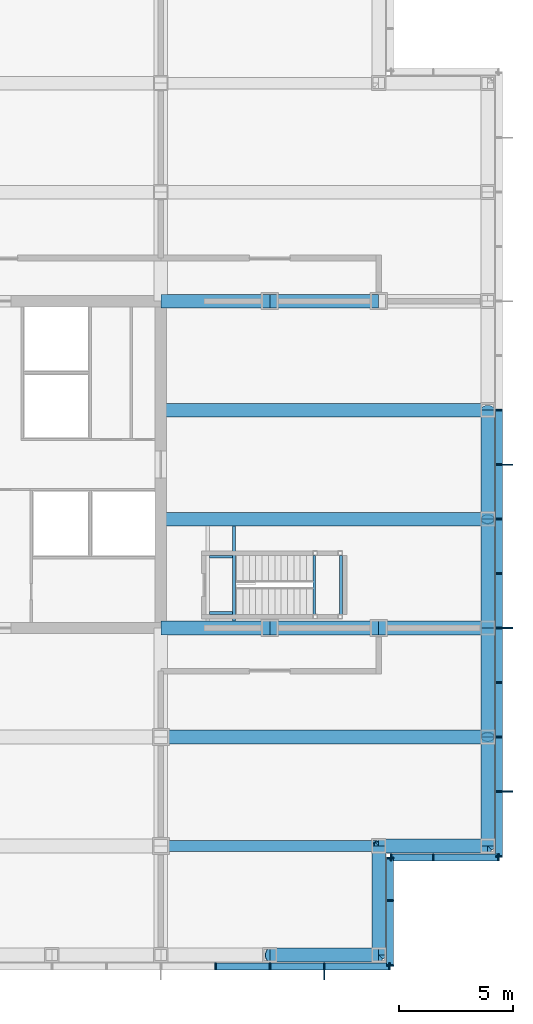
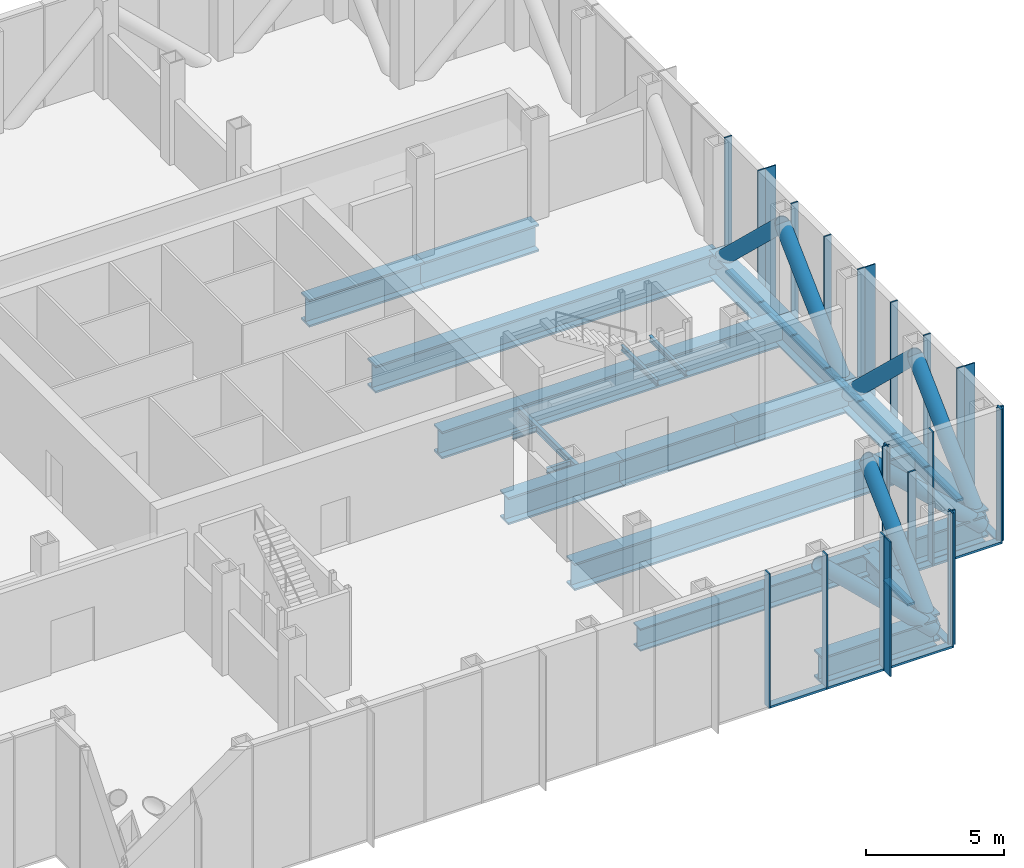
# One storey, part 8 of 18: 45 members, 21 beams, 4 elements without a shape of their own.
"""IFC4 building model written with IfcOpenShell, lengths in metres."""

from ifc_helpers import new_model, si_unit, direction, frame, origin, origin_2d, place, context, subcontext, project, spatial, rectangle, hollow_circle, i_section, extrude, material, material_profile, profile_set, type_object, element, aggregate, save


model = new_model("IFC4")

# Units and contexts
model_context = context("Model", 3, precision=1e-05, world=origin(), true_north=direction((0.0, 1.0)))
body_context = subcontext(model_context, "Body", "Model", "MODEL_VIEW")
ifc_project = project(units=[si_unit("LENGTHUNIT", "METRE"), si_unit("AREAUNIT", "SQUARE_METRE"), si_unit("VOLUMEUNIT", "CUBIC_METRE"), si_unit("PLANEANGLEUNIT", "RADIAN"), si_unit("MASSUNIT", "GRAM", prefix="KILO")], contexts=[model_context])

# Site, building, storey
site_placement = place(None, origin())
site = spatial("IfcSite", under=ifc_project, at=site_placement, CompositionType="ELEMENT")
building_placement = place(site_placement, origin())
building = spatial("IfcBuilding", under=site, at=building_placement, Name="Kvirike Care Tower", CompositionType="ELEMENT")
storey_placement = place(building_placement, frame((0.0, 0.0, 79.5)))
storey = spatial("IfcBuildingStorey", under=building, at=storey_placement, Name="L21", CompositionType="ELEMENT", Elevation=79.5)

# Members
ifc_material_1 = material(Name="Steel S355", Category="steel")
ifc_material_profile_1 = material_profile(ifc_material_1, hollow_circle(Radius=0.304931640625, WallThickness=0.030029296875, at=origin_2d()), Name="CHS 610x30")
ifc_profile_set_1 = profile_set([ifc_material_profile_1], Name="Steel S355")
member_type_1 = type_object("IfcMemberType", Name="BELT TRUSS DIAGONAL CHS 610x30", PredefinedType="BRACE", material=ifc_profile_set_1)
member_1_placement = place(storey_placement, frame((38.39990234375, 14.39990234375, -0.85009765625), z_axis=(-0.723472495583, 0.0, 0.690353205348), x_axis=(0.0, -1.0, 0.0)))
element("IfcMember", 1, at=member_1_placement, inside=storey, type_object=member_type_1, Name="Belt truss diagonal D10-D11 L21", PredefinedType="BRACE", context=body_context, shape_type="SweptSolid", body=[
    extrude(hollow_circle(Radius=0.304931640625, WallThickness=0.030029296875, at=origin_2d()), origin(), (0.0, 0.0, 1.0), 6.63427734375),
])
for number, where, z_axis, x_axis, name in (
    (2, (38.39990234375, 14.39990234375, -0.85009765625), (0.0, 0.723490032929, 0.690334826191), (-1.0, 0.0, 0.0), "Belt truss diagonal D11-E11 L21"),
    (3, (43.199951171875, 19.199951171875, -0.85009765625), (-0.723490032929, 0.0, 0.690334826191), (0.0, -1.0, 0.0), "Belt truss diagonal E11-E12 L21"),
    (4, (43.199951171875, 19.199951171875, -0.85009765625), (0.0, 0.723490032929, 0.690334826191), (-1.0, 0.0, 0.0), "Belt truss diagonal E12-F12 L21"),
    (5, (43.199951171875, 28.800048828125, -0.85009765625), (0.0, -0.723490032929, 0.690334826191), (1.0, 0.0, 0.0), "Belt truss diagonal F12-G12 L21"),
    (6, (43.199951171875, 28.800048828125, -0.85009765625), (0.0, 0.723490032929, 0.690334826191), (-1.0, 0.0, 0.0), "Belt truss diagonal G12-H12 L21"),
):
    element("IfcMember", number, at=place(storey_placement, frame(where, z_axis=z_axis, x_axis=x_axis)), inside=storey, type_object=member_type_1, Name=name, PredefinedType="BRACE", context=body_context, shape_type="SweptSolid", body=[
        extrude(hollow_circle(Radius=0.304931640625, WallThickness=0.030029296875, at=origin_2d()), origin(), (0.0, 0.0, 1.0), 6.634521484375),
    ])
member_2_placement = place(storey_placement, frame((43.199951171875, 38.39990234375, -0.85009765625), z_axis=(0.0, -0.723472495583, 0.690353205348), x_axis=(1.0, 0.0, 0.0)))
element("IfcMember", 7, at=member_2_placement, inside=storey, type_object=member_type_1, Name="Belt truss diagonal H12-J12 L21", PredefinedType="BRACE", context=body_context, shape_type="SweptSolid", body=[
    extrude(hollow_circle(Radius=0.304931640625, WallThickness=0.030029296875, at=origin_2d()), origin(), (0.0, 0.0, 1.0), 6.63427734375),
])

# Curtain wall, member
ifc_material_2 = material(Name="Anodised aluminium stick system", Category="aluminium")
curtain_wall_type = type_object("IfcCurtainWallType", Name="CW-L LOUVRED PLANT SCREEN", PredefinedType="NOTDEFINED", material=ifc_material_2)
curtain_wall_1_placement = place(storey_placement, origin())
curtain_wall_1 = element("IfcCurtainWall", 8, at=curtain_wall_1_placement, inside=storey, type_object=curtain_wall_type, Name="Curtain wall L21 face 4", PredefinedType="NOTDEFINED")
ifc_material_3 = material(Name="Bronze anodised aluminium fin", Category="aluminium")
ifc_material_profile_2 = material_profile(ifc_material_3, rectangle(XDim=0.050048828125, YDim=0.449951171875, at=origin_2d()), Name="BRONZE FIN 450")
ifc_profile_set_2 = profile_set([ifc_material_profile_2], Name="Bronze anodised aluminium fin")
member_type_2 = type_object("IfcMemberType", Name="BRONZE FIN 450", PredefinedType="USERDEFINED", material=ifc_profile_set_2)
member_3_placement = place(storey_placement, frame((36.0, 13.52490234375, -1.449951171875), z_axis=(0.0, 0.0, 1.0), x_axis=(1.0, 0.0, 0.0)))
member_3 = element("IfcMember", 9, at=member_3_placement, type_object=member_type_2, Name="Bronze fin L21 face 4.14", ObjectType="FIN", PredefinedType="USERDEFINED", context=body_context, shape_type="SweptSolid", body=[
    extrude(rectangle(XDim=0.050048828125, YDim=0.449951171875, at=origin_2d()), origin(), (0.0, 0.0, 1.0), 5.949951171875),
])

# Curtain wall, members
curtain_wall_2_placement = place(storey_placement, origin())
curtain_wall_2 = element("IfcCurtainWall", 10, at=curtain_wall_2_placement, inside=storey, type_object=curtain_wall_type, Name="Curtain wall L21 face 7", PredefinedType="NOTDEFINED")
member_4_placement = place(storey_placement, frame((44.074951171875, 21.60009765625, -1.449951171875), z_axis=(0.0, 0.0, 1.0), x_axis=(0.0, 1.0, 0.0)))
member_4 = element("IfcMember", 11, at=member_4_placement, type_object=member_type_2, Name="Bronze fin L21 face 7.2", ObjectType="FIN", PredefinedType="USERDEFINED", context=body_context, shape_type="SweptSolid", body=[
    extrude(rectangle(XDim=0.050048828125, YDim=0.449951171875, at=origin_2d()), origin(), (0.0, 0.0, 1.0), 5.949951171875),
])
member_5_placement = place(storey_placement, frame((44.074951171875, 28.800048828125, -1.449951171875), z_axis=(0.0, 0.0, 1.0), x_axis=(0.0, 1.0, 0.0)))
member_5 = element("IfcMember", 12, at=member_5_placement, type_object=member_type_2, Name="Bronze fin L21 face 7.5", ObjectType="FIN", PredefinedType="USERDEFINED", context=body_context, shape_type="SweptSolid", body=[
    extrude(rectangle(XDim=0.050048828125, YDim=0.449951171875, at=origin_2d()), origin(), (0.0, 0.0, 1.0), 5.949951171875),
])
member_6_placement = place(storey_placement, frame((44.074951171875, 36.0, -1.449951171875), z_axis=(0.0, 0.0, 1.0), x_axis=(0.0, 1.0, 0.0)))
member_6 = element("IfcMember", 13, at=member_6_placement, type_object=member_type_2, Name="Bronze fin L21 face 7.8", ObjectType="FIN", PredefinedType="USERDEFINED", context=body_context, shape_type="SweptSolid", body=[
    extrude(rectangle(XDim=0.050048828125, YDim=0.449951171875, at=origin_2d()), origin(), (0.0, 0.0, 1.0), 5.949951171875),
])

# Member
ifc_material_4 = material(Name="Bronze anodised aluminium mullion", Category="aluminium")
ifc_material_profile_3 = material_profile(ifc_material_4, rectangle(XDim=0.06494140625, YDim=0.300048828125, at=origin_2d()), Name="CW-L MULLION 65x300")
ifc_profile_set_3 = profile_set([ifc_material_profile_3], Name="Bronze anodised aluminium mullion")
member_type_3 = type_object("IfcMemberType", Name="CW-L MULLION 65x300", PredefinedType="MULLION", material=ifc_profile_set_3)
member_7_placement = place(storey_placement, frame((31.199951171875, 13.89990234375, -1.449951171875), z_axis=(0.0, 0.0, 1.0), x_axis=(1.0, 0.0, 0.0)))
member_7 = element("IfcMember", 14, at=member_7_placement, type_object=member_type_3, Name="CW-L mullion L21 face 4.12", PredefinedType="MULLION", context=body_context, shape_type="SweptSolid", body=[
    extrude(rectangle(XDim=0.06494140625, YDim=0.300048828125, at=origin_2d()), origin(), (0.0, 0.0, 1.0), 5.949951171875),
])

member_8_placement = place(storey_placement, frame((33.60009765625, 13.89990234375, -1.449951171875), z_axis=(0.0, 0.0, 1.0), x_axis=(1.0, 0.0, 0.0)))
member_8 = element("IfcMember", 15, at=member_8_placement, type_object=member_type_3, Name="CW-L mullion L21 face 4.13", PredefinedType="MULLION", context=body_context, shape_type="SweptSolid", body=[
    extrude(rectangle(XDim=0.06494140625, YDim=0.300048828125, at=origin_2d()), origin(), (0.0, 0.0, 1.0), 5.949951171875),
])

member_9_placement = place(storey_placement, frame((36.0, 13.89990234375, -1.449951171875), z_axis=(0.0, 0.0, 1.0), x_axis=(1.0, 0.0, 0.0)))
member_9 = element("IfcMember", 16, at=member_9_placement, type_object=member_type_3, Name="CW-L mullion L21 face 4.14", PredefinedType="MULLION", context=body_context, shape_type="SweptSolid", body=[
    extrude(rectangle(XDim=0.06494140625, YDim=0.300048828125, at=origin_2d()), origin(), (0.0, 0.0, 1.0), 5.949951171875),
])

member_10_placement = place(storey_placement, frame((38.867431640625, 13.89990234375, -1.449951171875), z_axis=(0.0, 0.0, 1.0), x_axis=(1.0, 0.0, 0.0)))
member_10 = element("IfcMember", 17, at=member_10_placement, type_object=member_type_3, Name="CW-L mullion L21 face 4.15", PredefinedType="MULLION", context=body_context, shape_type="SweptSolid", body=[
    extrude(rectangle(XDim=0.06494140625, YDim=0.300048828125, at=origin_2d()), origin(), (0.0, 0.0, 1.0), 5.949951171875),
])

# Curtain wall, members
curtain_wall_3_placement = place(storey_placement, origin())
curtain_wall_3 = element("IfcCurtainWall", 18, at=curtain_wall_3_placement, inside=storey, type_object=curtain_wall_type, Name="Curtain wall L21 face 5", PredefinedType="NOTDEFINED")
member_11_placement = place(storey_placement, frame((38.89990234375, 13.9326171875, -1.449951171875), z_axis=(0.0, 0.0, 1.0), x_axis=(0.0, 1.0, 0.0)))
member_11 = element("IfcMember", 19, at=member_11_placement, type_object=member_type_3, Name="CW-L mullion L21 face 5.1", PredefinedType="MULLION", context=body_context, shape_type="SweptSolid", body=[
    extrude(rectangle(XDim=0.06494140625, YDim=0.300048828125, at=origin_2d()), origin(), (0.0, 0.0, 1.0), 5.949951171875),
])
member_12_placement = place(storey_placement, frame((38.89990234375, 16.800048828125, -1.449951171875), z_axis=(0.0, 0.0, 1.0), x_axis=(0.0, 1.0, 0.0)))
member_12 = element("IfcMember", 20, at=member_12_placement, type_object=member_type_3, Name="CW-L mullion L21 face 5.2", PredefinedType="MULLION", context=body_context, shape_type="SweptSolid", body=[
    extrude(rectangle(XDim=0.06494140625, YDim=0.300048828125, at=origin_2d()), origin(), (0.0, 0.0, 1.0), 5.949951171875),
])
member_13_placement = place(storey_placement, frame((38.89990234375, 18.66748046875, -1.449951171875), z_axis=(0.0, 0.0, 1.0), x_axis=(0.0, 1.0, 0.0)))
member_13 = element("IfcMember", 21, at=member_13_placement, type_object=member_type_3, Name="CW-L mullion L21 face 5.3", PredefinedType="MULLION", context=body_context, shape_type="SweptSolid", body=[
    extrude(rectangle(XDim=0.06494140625, YDim=0.300048828125, at=origin_2d()), origin(), (0.0, 0.0, 1.0), 5.949951171875),
])

curtain_wall_4_placement = place(storey_placement, origin())
curtain_wall_4 = element("IfcCurtainWall", 22, at=curtain_wall_4_placement, inside=storey, type_object=curtain_wall_type, Name="Curtain wall L21 face 6", PredefinedType="NOTDEFINED")
member_14_placement = place(storey_placement, frame((38.9326171875, 18.699951171875, -1.449951171875), z_axis=(0.0, 0.0, 1.0), x_axis=(1.0, 0.0, 0.0)))
member_14 = element("IfcMember", 23, at=member_14_placement, type_object=member_type_3, Name="CW-L mullion L21 face 6.1", PredefinedType="MULLION", context=body_context, shape_type="SweptSolid", body=[
    extrude(rectangle(XDim=0.06494140625, YDim=0.300048828125, at=origin_2d()), origin(), (0.0, 0.0, 1.0), 5.949951171875),
])
member_15_placement = place(storey_placement, frame((40.800048828125, 18.699951171875, -1.449951171875), z_axis=(0.0, 0.0, 1.0), x_axis=(1.0, 0.0, 0.0)))
member_15 = element("IfcMember", 24, at=member_15_placement, type_object=member_type_3, Name="CW-L mullion L21 face 6.2", PredefinedType="MULLION", context=body_context, shape_type="SweptSolid", body=[
    extrude(rectangle(XDim=0.06494140625, YDim=0.300048828125, at=origin_2d()), origin(), (0.0, 0.0, 1.0), 5.949951171875),
])
member_16_placement = place(storey_placement, frame((43.66748046875, 18.699951171875, -1.449951171875), z_axis=(0.0, 0.0, 1.0), x_axis=(1.0, 0.0, 0.0)))
member_16 = element("IfcMember", 25, at=member_16_placement, type_object=member_type_3, Name="CW-L mullion L21 face 6.3", PredefinedType="MULLION", context=body_context, shape_type="SweptSolid", body=[
    extrude(rectangle(XDim=0.06494140625, YDim=0.300048828125, at=origin_2d()), origin(), (0.0, 0.0, 1.0), 5.949951171875),
])

# Member
member_17_placement = place(storey_placement, frame((43.699951171875, 18.732421875, -1.449951171875), z_axis=(0.0, 0.0, 1.0), x_axis=(0.0, 1.0, 0.0)))
member_17 = element("IfcMember", 26, at=member_17_placement, type_object=member_type_3, Name="CW-L mullion L21 face 7.1", PredefinedType="MULLION", context=body_context, shape_type="SweptSolid", body=[
    extrude(rectangle(XDim=0.06494140625, YDim=0.300048828125, at=origin_2d()), origin(), (0.0, 0.0, 1.0), 5.949951171875),
])

member_18_placement = place(storey_placement, frame((43.699951171875, 21.60009765625, -1.449951171875), z_axis=(0.0, 0.0, 1.0), x_axis=(0.0, 1.0, 0.0)))
member_18 = element("IfcMember", 27, at=member_18_placement, type_object=member_type_3, Name="CW-L mullion L21 face 7.2", PredefinedType="MULLION", context=body_context, shape_type="SweptSolid", body=[
    extrude(rectangle(XDim=0.06494140625, YDim=0.300048828125, at=origin_2d()), origin(), (0.0, 0.0, 1.0), 5.949951171875),
])

member_19_placement = place(storey_placement, frame((43.699951171875, 24.0, -1.449951171875), z_axis=(0.0, 0.0, 1.0), x_axis=(0.0, 1.0, 0.0)))
member_19 = element("IfcMember", 28, at=member_19_placement, type_object=member_type_3, Name="CW-L mullion L21 face 7.3", PredefinedType="MULLION", context=body_context, shape_type="SweptSolid", body=[
    extrude(rectangle(XDim=0.06494140625, YDim=0.300048828125, at=origin_2d()), origin(), (0.0, 0.0, 1.0), 5.949951171875),
])

member_20_placement = place(storey_placement, frame((43.699951171875, 26.39990234375, -1.449951171875), z_axis=(0.0, 0.0, 1.0), x_axis=(0.0, 1.0, 0.0)))
member_20 = element("IfcMember", 29, at=member_20_placement, type_object=member_type_3, Name="CW-L mullion L21 face 7.4", PredefinedType="MULLION", context=body_context, shape_type="SweptSolid", body=[
    extrude(rectangle(XDim=0.06494140625, YDim=0.300048828125, at=origin_2d()), origin(), (0.0, 0.0, 1.0), 5.949951171875),
])

member_21_placement = place(storey_placement, frame((43.699951171875, 28.800048828125, -1.449951171875), z_axis=(0.0, 0.0, 1.0), x_axis=(0.0, 1.0, 0.0)))
member_21 = element("IfcMember", 30, at=member_21_placement, type_object=member_type_3, Name="CW-L mullion L21 face 7.5", PredefinedType="MULLION", context=body_context, shape_type="SweptSolid", body=[
    extrude(rectangle(XDim=0.06494140625, YDim=0.300048828125, at=origin_2d()), origin(), (0.0, 0.0, 1.0), 5.949951171875),
])

member_22_placement = place(storey_placement, frame((43.699951171875, 31.199951171875, -1.449951171875), z_axis=(0.0, 0.0, 1.0), x_axis=(0.0, 1.0, 0.0)))
member_22 = element("IfcMember", 31, at=member_22_placement, type_object=member_type_3, Name="CW-L mullion L21 face 7.6", PredefinedType="MULLION", context=body_context, shape_type="SweptSolid", body=[
    extrude(rectangle(XDim=0.06494140625, YDim=0.300048828125, at=origin_2d()), origin(), (0.0, 0.0, 1.0), 5.949951171875),
])

member_23_placement = place(storey_placement, frame((43.699951171875, 33.60009765625, -1.449951171875), z_axis=(0.0, 0.0, 1.0), x_axis=(0.0, 1.0, 0.0)))
member_23 = element("IfcMember", 32, at=member_23_placement, type_object=member_type_3, Name="CW-L mullion L21 face 7.7", PredefinedType="MULLION", context=body_context, shape_type="SweptSolid", body=[
    extrude(rectangle(XDim=0.06494140625, YDim=0.300048828125, at=origin_2d()), origin(), (0.0, 0.0, 1.0), 5.949951171875),
])

member_24_placement = place(storey_placement, frame((43.699951171875, 36.0, -1.449951171875), z_axis=(0.0, 0.0, 1.0), x_axis=(0.0, 1.0, 0.0)))
member_24 = element("IfcMember", 33, at=member_24_placement, type_object=member_type_3, Name="CW-L mullion L21 face 7.8", PredefinedType="MULLION", context=body_context, shape_type="SweptSolid", body=[
    extrude(rectangle(XDim=0.06494140625, YDim=0.300048828125, at=origin_2d()), origin(), (0.0, 0.0, 1.0), 5.949951171875),
])

member_25_placement = place(storey_placement, frame((43.699951171875, 38.39990234375, -1.449951171875), z_axis=(0.0, 0.0, 1.0), x_axis=(0.0, 1.0, 0.0)))
member_25 = element("IfcMember", 34, at=member_25_placement, type_object=member_type_3, Name="CW-L mullion L21 face 7.9", PredefinedType="MULLION", context=body_context, shape_type="SweptSolid", body=[
    extrude(rectangle(XDim=0.06494140625, YDim=0.300048828125, at=origin_2d()), origin(), (0.0, 0.0, 1.0), 5.949951171875),
])

ifc_material_5 = material(Name="Bronze anodised aluminium transom", Category="aluminium")
ifc_material_profile_4 = material_profile(ifc_material_5, rectangle(XDim=0.300048828125, YDim=0.10009765625, at=origin_2d()), Name="CW-L TRANSOM 300x100")
ifc_profile_set_4 = profile_set([ifc_material_profile_4], Name="Bronze anodised aluminium transom")
member_type_4 = type_object("IfcMemberType", Name="CW-L TRANSOM 300x100", PredefinedType="USERDEFINED", material=ifc_profile_set_4)
member_26_placement = place(storey_placement, frame((31.232421875, 13.89990234375, -1.39990234375), z_axis=(1.0, 0.0, 0.0), x_axis=(0.0, 1.0, 0.0)))
member_26 = element("IfcMember", 35, at=member_26_placement, type_object=member_type_4, Name="CW-L sill transom L21 face 4.12", ObjectType="TRANSOM", PredefinedType="USERDEFINED", context=body_context, shape_type="SweptSolid", body=[
    extrude(rectangle(XDim=0.300048828125, YDim=0.10009765625, at=origin_2d()), origin(), (0.0, 0.0, 1.0), 2.3349609375),
])

member_27_placement = place(storey_placement, frame((33.632568359375, 13.89990234375, -1.39990234375), z_axis=(1.0, 0.0, 0.0), x_axis=(0.0, 1.0, 0.0)))
member_27 = element("IfcMember", 36, at=member_27_placement, type_object=member_type_4, Name="CW-L sill transom L21 face 4.13", ObjectType="TRANSOM", PredefinedType="USERDEFINED", context=body_context, shape_type="SweptSolid", body=[
    extrude(rectangle(XDim=0.300048828125, YDim=0.10009765625, at=origin_2d()), origin(), (0.0, 0.0, 1.0), 2.3349609375),
])

member_28_placement = place(storey_placement, frame((36.032470703125, 13.89990234375, -1.39990234375), z_axis=(1.0, 0.0, 0.0), x_axis=(0.0, 1.0, 0.0)))
member_28 = element("IfcMember", 37, at=member_28_placement, type_object=member_type_4, Name="CW-L sill transom L21 face 4.14", ObjectType="TRANSOM", PredefinedType="USERDEFINED", context=body_context, shape_type="SweptSolid", body=[
    extrude(rectangle(XDim=0.300048828125, YDim=0.10009765625, at=origin_2d()), origin(), (0.0, 0.0, 1.0), 2.802490234375),
])

aggregate(curtain_wall_1, [member_7, member_8, member_9, member_3, member_10, member_26, member_27, member_28])

member_29_placement = place(storey_placement, frame((38.89990234375, 13.965087890625, -1.39990234375), z_axis=(0.0, 1.0, 0.0), x_axis=(-1.0, 0.0, 0.0)))
member_29 = element("IfcMember", 38, at=member_29_placement, type_object=member_type_4, Name="CW-L sill transom L21 face 5.1", ObjectType="TRANSOM", PredefinedType="USERDEFINED", context=body_context, shape_type="SweptSolid", body=[
    extrude(rectangle(XDim=0.300048828125, YDim=0.10009765625, at=origin_2d()), origin(), (0.0, 0.0, 1.0), 2.802490234375),
])

member_30_placement = place(storey_placement, frame((38.89990234375, 16.83251953125, -1.39990234375), z_axis=(0.0, 1.0, 0.0), x_axis=(-1.0, 0.0, 0.0)))
member_30 = element("IfcMember", 39, at=member_30_placement, type_object=member_type_4, Name="CW-L sill transom L21 face 5.2", ObjectType="TRANSOM", PredefinedType="USERDEFINED", context=body_context, shape_type="SweptSolid", body=[
    extrude(rectangle(XDim=0.300048828125, YDim=0.10009765625, at=origin_2d()), origin(), (0.0, 0.0, 1.0), 1.802490234375),
])

aggregate(curtain_wall_3, [member_11, member_12, member_13, member_29, member_30])

member_31_placement = place(storey_placement, frame((38.965087890625, 18.699951171875, -1.39990234375), z_axis=(1.0, 0.0, 0.0), x_axis=(0.0, 1.0, 0.0)))
member_31 = element("IfcMember", 40, at=member_31_placement, type_object=member_type_4, Name="CW-L sill transom L21 face 6.1", ObjectType="TRANSOM", PredefinedType="USERDEFINED", context=body_context, shape_type="SweptSolid", body=[
    extrude(rectangle(XDim=0.300048828125, YDim=0.10009765625, at=origin_2d()), origin(), (0.0, 0.0, 1.0), 1.802490234375),
])

member_32_placement = place(storey_placement, frame((40.83251953125, 18.699951171875, -1.39990234375), z_axis=(1.0, 0.0, 0.0), x_axis=(0.0, 1.0, 0.0)))
member_32 = element("IfcMember", 41, at=member_32_placement, type_object=member_type_4, Name="CW-L sill transom L21 face 6.2", ObjectType="TRANSOM", PredefinedType="USERDEFINED", context=body_context, shape_type="SweptSolid", body=[
    extrude(rectangle(XDim=0.300048828125, YDim=0.10009765625, at=origin_2d()), origin(), (0.0, 0.0, 1.0), 2.802490234375),
])

aggregate(curtain_wall_4, [member_14, member_15, member_16, member_31, member_32])

member_33_placement = place(storey_placement, frame((43.699951171875, 18.764892578125, -1.39990234375), z_axis=(0.0, 1.0, 0.0), x_axis=(-1.0, 0.0, 0.0)))
member_33 = element("IfcMember", 42, at=member_33_placement, type_object=member_type_4, Name="CW-L sill transom L21 face 7.1", ObjectType="TRANSOM", PredefinedType="USERDEFINED", context=body_context, shape_type="SweptSolid", body=[
    extrude(rectangle(XDim=0.300048828125, YDim=0.10009765625, at=origin_2d()), origin(), (0.0, 0.0, 1.0), 2.802490234375),
])

member_34_placement = place(storey_placement, frame((43.699951171875, 21.632568359375, -1.39990234375), z_axis=(0.0, 1.0, 0.0), x_axis=(-1.0, 0.0, 0.0)))
member_34 = element("IfcMember", 43, at=member_34_placement, type_object=member_type_4, Name="CW-L sill transom L21 face 7.2", ObjectType="TRANSOM", PredefinedType="USERDEFINED", context=body_context, shape_type="SweptSolid", body=[
    extrude(rectangle(XDim=0.300048828125, YDim=0.10009765625, at=origin_2d()), origin(), (0.0, 0.0, 1.0), 2.3349609375),
])

member_35_placement = place(storey_placement, frame((43.699951171875, 24.032470703125, -1.39990234375), z_axis=(0.0, 1.0, 0.0), x_axis=(-1.0, 0.0, 0.0)))
member_35 = element("IfcMember", 44, at=member_35_placement, type_object=member_type_4, Name="CW-L sill transom L21 face 7.3", ObjectType="TRANSOM", PredefinedType="USERDEFINED", context=body_context, shape_type="SweptSolid", body=[
    extrude(rectangle(XDim=0.300048828125, YDim=0.10009765625, at=origin_2d()), origin(), (0.0, 0.0, 1.0), 2.3349609375),
])

member_36_placement = place(storey_placement, frame((43.699951171875, 26.4326171875, -1.39990234375), z_axis=(0.0, 1.0, 0.0), x_axis=(-1.0, 0.0, 0.0)))
member_36 = element("IfcMember", 45, at=member_36_placement, type_object=member_type_4, Name="CW-L sill transom L21 face 7.4", ObjectType="TRANSOM", PredefinedType="USERDEFINED", context=body_context, shape_type="SweptSolid", body=[
    extrude(rectangle(XDim=0.300048828125, YDim=0.10009765625, at=origin_2d()), origin(), (0.0, 0.0, 1.0), 2.3349609375),
])

member_37_placement = place(storey_placement, frame((43.699951171875, 28.83251953125, -1.39990234375), z_axis=(0.0, 1.0, 0.0), x_axis=(-1.0, 0.0, 0.0)))
member_37 = element("IfcMember", 46, at=member_37_placement, type_object=member_type_4, Name="CW-L sill transom L21 face 7.5", ObjectType="TRANSOM", PredefinedType="USERDEFINED", context=body_context, shape_type="SweptSolid", body=[
    extrude(rectangle(XDim=0.300048828125, YDim=0.10009765625, at=origin_2d()), origin(), (0.0, 0.0, 1.0), 2.3349609375),
])

member_38_placement = place(storey_placement, frame((43.699951171875, 31.232421875, -1.39990234375), z_axis=(0.0, 1.0, 0.0), x_axis=(-1.0, 0.0, 0.0)))
member_38 = element("IfcMember", 47, at=member_38_placement, type_object=member_type_4, Name="CW-L sill transom L21 face 7.6", ObjectType="TRANSOM", PredefinedType="USERDEFINED", context=body_context, shape_type="SweptSolid", body=[
    extrude(rectangle(XDim=0.300048828125, YDim=0.10009765625, at=origin_2d()), origin(), (0.0, 0.0, 1.0), 2.3349609375),
])

member_39_placement = place(storey_placement, frame((43.699951171875, 33.632568359375, -1.39990234375), z_axis=(0.0, 1.0, 0.0), x_axis=(-1.0, 0.0, 0.0)))
member_39 = element("IfcMember", 48, at=member_39_placement, type_object=member_type_4, Name="CW-L sill transom L21 face 7.7", ObjectType="TRANSOM", PredefinedType="USERDEFINED", context=body_context, shape_type="SweptSolid", body=[
    extrude(rectangle(XDim=0.300048828125, YDim=0.10009765625, at=origin_2d()), origin(), (0.0, 0.0, 1.0), 2.3349609375),
])

member_40_placement = place(storey_placement, frame((43.699951171875, 36.032470703125, -1.39990234375), z_axis=(0.0, 1.0, 0.0), x_axis=(-1.0, 0.0, 0.0)))
member_40 = element("IfcMember", 49, at=member_40_placement, type_object=member_type_4, Name="CW-L sill transom L21 face 7.8", ObjectType="TRANSOM", PredefinedType="USERDEFINED", context=body_context, shape_type="SweptSolid", body=[
    extrude(rectangle(XDim=0.300048828125, YDim=0.10009765625, at=origin_2d()), origin(), (0.0, 0.0, 1.0), 2.3349609375),
])

aggregate(curtain_wall_2, [member_17, member_18, member_4, member_19, member_20, member_21, member_5, member_22, member_23, member_24, member_6, member_25, member_33, member_34, member_35, member_36, member_37, member_38, member_39, member_40])

# Beams
ifc_material_6 = material(Name="Steel S355", Category="steel")
ifc_material_profile_5 = material_profile(ifc_material_6, i_section(OverallWidth=0.60009765625, OverallDepth=1.199951171875, WebThickness=0.0400390625, FlangeThickness=0.080078125, at=origin_2d()), Name="PG 1200x600x40x80")
ifc_profile_set_5 = profile_set([ifc_material_profile_5], Name="Steel S355")
beam_type_1 = type_object("IfcBeamType", Name="FRAME BEAM PG 1200x600x40x80", PredefinedType="BEAM", material=ifc_profile_set_5)
beam_1_placement = place(storey_placement, frame((28.800048828125, 28.800048828125, -0.85009765625), z_axis=(1.0, 0.0, 0.0), x_axis=(0.0, 1.0, 0.0)))
element("IfcBeam", 50, at=beam_1_placement, inside=storey, type_object=beam_type_1, Name="Frame Beam G9-G10 L21", PredefinedType="BEAM", context=body_context, shape_type="SweptSolid", body=[
    extrude(i_section(OverallWidth=0.60009765625, OverallDepth=1.199951171875, WebThickness=0.0400390625, FlangeThickness=0.080078125, at=origin_2d()), origin(), (0.0, 0.0, 1.0), 4.800048828125),
])
beam_2_placement = place(storey_placement, frame((33.60009765625, 28.800048828125, -0.85009765625), z_axis=(1.0, 0.0, 0.0), x_axis=(0.0, 1.0, 0.0)))
element("IfcBeam", 51, at=beam_2_placement, inside=storey, type_object=beam_type_1, Name="Frame Beam G10-G11 L21", PredefinedType="BEAM", context=body_context, shape_type="SweptSolid", body=[
    extrude(i_section(OverallWidth=0.60009765625, OverallDepth=1.199951171875, WebThickness=0.0400390625, FlangeThickness=0.080078125, at=origin_2d()), origin(), (0.0, 0.0, 1.0), 4.7998046875),
])
for number, where, z_axis, x_axis, name in (
    (52, (38.39990234375, 28.800048828125, -0.85009765625), (1.0, 0.0, 0.0), (0.0, 1.0, 0.0), "Frame Beam G11-G12 L21"),
    (53, (28.800048828125, 43.199951171875, -0.85009765625), (1.0, 0.0, 0.0), (0.0, 1.0, 0.0), "Frame Beam K9-K10 L21"),
):
    element("IfcBeam", number, at=place(storey_placement, frame(where, z_axis=z_axis, x_axis=x_axis)), inside=storey, type_object=beam_type_1, Name=name, PredefinedType="BEAM", context=body_context, shape_type="SweptSolid", body=[
        extrude(i_section(OverallWidth=0.60009765625, OverallDepth=1.199951171875, WebThickness=0.0400390625, FlangeThickness=0.080078125, at=origin_2d()), origin(), (0.0, 0.0, 1.0), 4.800048828125),
    ])
beam_3_placement = place(storey_placement, frame((33.60009765625, 43.199951171875, -0.85009765625), z_axis=(1.0, 0.0, 0.0), x_axis=(0.0, 1.0, 0.0)))
element("IfcBeam", 54, at=beam_3_placement, inside=storey, type_object=beam_type_1, Name="Frame Beam K10-K11 L21", PredefinedType="BEAM", context=body_context, shape_type="SweptSolid", body=[
    extrude(i_section(OverallWidth=0.60009765625, OverallDepth=1.199951171875, WebThickness=0.0400390625, FlangeThickness=0.080078125, at=origin_2d()), origin(), (0.0, 0.0, 1.0), 4.7998046875),
])
ifc_material_7 = material(Name="Steel S355", Category="steel")
ifc_material_profile_6 = material_profile(ifc_material_7, i_section(OverallWidth=0.5, OverallDepth=1.0, WebThickness=0.030029296875, FlangeThickness=0.06005859375, at=origin_2d()), Name="PG 1000x500x30x60")
ifc_profile_set_6 = profile_set([ifc_material_profile_6], Name="Steel S355")
beam_type_2 = type_object("IfcBeamType", Name="PLANT FLOOR GIRDER PG 1000x500x30x60", PredefinedType="BEAM", material=ifc_profile_set_6)
beam_4_placement = place(storey_placement, frame((28.800048828125, 19.199951171875, -0.75), z_axis=(1.0, 0.0, 0.0), x_axis=(0.0, 1.0, 0.0)))
element("IfcBeam", 55, at=beam_4_placement, inside=storey, type_object=beam_type_2, Name="Plant Floor Girder E9-E11 L21", PredefinedType="BEAM", context=body_context, shape_type="SweptSolid", body=[
    extrude(i_section(OverallWidth=0.5, OverallDepth=1.0, WebThickness=0.030029296875, FlangeThickness=0.06005859375, at=origin_2d()), origin(), (0.0, 0.0, 1.0), 9.599853515625),
])
ifc_material_8 = material(Name="Steel S355", Category="steel")
ifc_material_profile_7 = material_profile(ifc_material_8, i_section(OverallWidth=0.60009765625, OverallDepth=1.199951171875, WebThickness=0.0400390625, FlangeThickness=0.080078125, at=origin_2d()), Name="PG 1200x600x40x80")
ifc_profile_set_7 = profile_set([ifc_material_profile_7], Name="Steel S355")
beam_type_3 = type_object("IfcBeamType", Name="PLANT FLOOR GIRDER PG 1200x600x40x80", PredefinedType="BEAM", material=ifc_profile_set_7)
for number, where, z_axis, x_axis, name in (
    (56, (28.800048828125, 24.0, -0.85009765625), (1.0, 0.0, 0.0), (0.0, 1.0, 0.0), "Plant Floor Girder F9-F12 L21"),
    (57, (28.800048828125, 33.60009765625, -0.85009765625), (1.0, 0.0, 0.0), (0.0, 1.0, 0.0), "Plant Floor Girder H9-H12 L21"),
    (58, (28.800048828125, 38.39990234375, -0.85009765625), (1.0, 0.0, 0.0), (0.0, 1.0, 0.0), "Plant Floor Girder J9-J12 L21"),
):
    element("IfcBeam", number, at=place(storey_placement, frame(where, z_axis=z_axis, x_axis=x_axis)), inside=storey, type_object=beam_type_3, Name=name, PredefinedType="BEAM", context=body_context, shape_type="SweptSolid", body=[
        extrude(i_section(OverallWidth=0.60009765625, OverallDepth=1.199951171875, WebThickness=0.0400390625, FlangeThickness=0.080078125, at=origin_2d()), origin(), (0.0, 0.0, 1.0), 14.39990234375),
    ])
ifc_material_9 = material(Name="Steel S355", Category="steel")
ifc_material_profile_8 = material_profile(ifc_material_9, i_section(OverallWidth=0.60009765625, OverallDepth=1.199951171875, WebThickness=0.0400390625, FlangeThickness=0.080078125, at=origin_2d()), Name="PG 1200x600x40x80")
ifc_profile_set_8 = profile_set([ifc_material_profile_8], Name="Steel S355")
beam_type_4 = type_object("IfcBeamType", Name="SPANDREL PG 1200x600x40x80", PredefinedType="SPANDREL", material=ifc_profile_set_8)
beam_5_placement = place(storey_placement, frame((33.60009765625, 14.39990234375, -0.85009765625), z_axis=(1.0, 0.0, 0.0), x_axis=(0.0, 1.0, 0.0)))
element("IfcBeam", 59, at=beam_5_placement, inside=storey, type_object=beam_type_4, Name="Spandrel D10-D11 L21", PredefinedType="SPANDREL", context=body_context, shape_type="SweptSolid", body=[
    extrude(i_section(OverallWidth=0.60009765625, OverallDepth=1.199951171875, WebThickness=0.0400390625, FlangeThickness=0.080078125, at=origin_2d()), origin(), (0.0, 0.0, 1.0), 4.7998046875),
])
for number, where, z_axis, x_axis, name in (
    (60, (38.39990234375, 19.199951171875, -0.85009765625), (1.0, 0.0, 0.0), (0.0, 1.0, 0.0), "Spandrel E11-E12 L21"),
    (61, (38.39990234375, 14.39990234375, -0.85009765625), (0.0, 1.0, 0.0), (-1.0, 0.0, 0.0), "Spandrel D11-E11 L21"),
    (62, (43.199951171875, 19.199951171875, -0.85009765625), (0.0, 1.0, 0.0), (-1.0, 0.0, 0.0), "Spandrel E12-F12 L21"),
    (63, (43.199951171875, 24.0, -0.85009765625), (0.0, 1.0, 0.0), (-1.0, 0.0, 0.0), "Spandrel F12-G12 L21"),
    (64, (43.199951171875, 28.800048828125, -0.85009765625), (0.0, 1.0, 0.0), (-1.0, 0.0, 0.0), "Spandrel G12-H12 L21"),
):
    element("IfcBeam", number, at=place(storey_placement, frame(where, z_axis=z_axis, x_axis=x_axis)), inside=storey, type_object=beam_type_4, Name=name, PredefinedType="SPANDREL", context=body_context, shape_type="SweptSolid", body=[
        extrude(i_section(OverallWidth=0.60009765625, OverallDepth=1.199951171875, WebThickness=0.0400390625, FlangeThickness=0.080078125, at=origin_2d()), origin(), (0.0, 0.0, 1.0), 4.800048828125),
    ])
beam_6_placement = place(storey_placement, frame((43.199951171875, 33.60009765625, -0.85009765625), z_axis=(0.0, 1.0, 0.0), x_axis=(-1.0, 0.0, 0.0)))
element("IfcBeam", 65, at=beam_6_placement, inside=storey, type_object=beam_type_4, Name="Spandrel H12-J12 L21", PredefinedType="SPANDREL", context=body_context, shape_type="SweptSolid", body=[
    extrude(i_section(OverallWidth=0.60009765625, OverallDepth=1.199951171875, WebThickness=0.0400390625, FlangeThickness=0.080078125, at=origin_2d()), origin(), (0.0, 0.0, 1.0), 4.7998046875),
])
ifc_material_10 = material(Name="Steel S355", Category="steel")
ifc_material_profile_9 = material_profile(ifc_material_10, i_section(OverallWidth=0.1201171875, OverallDepth=0.239990234375, WebThickness=0.006103515625, FlangeThickness=0.009765625, FilletRadius=0.014892578125, at=origin_2d()), Name="IPE 240")
ifc_profile_set_9 = profile_set([ifc_material_profile_9], Name="Steel S355")
beam_type_5 = type_object("IfcBeamType", Name="STAIR LANDING BEAM IPE 240", PredefinedType="BEAM", material=ifc_profile_set_9)
for number, where, z_axis, x_axis, name in (
    (66, (36.739990234375, 29.39990234375, 1.929931640625), (0.0, 1.0, 0.0), (-1.0, 0.0, 0.0), "Stair 2 landing beam back L21"),
    (67, (35.56005859375, 29.39990234375, 1.929931640625), (0.0, 1.0, 0.0), (-1.0, 0.0, 0.0), "Stair 2 landing beam front L21"),
):
    element("IfcBeam", number, at=place(storey_placement, frame(where, z_axis=z_axis, x_axis=x_axis)), inside=storey, type_object=beam_type_5, Name=name, PredefinedType="BEAM", context=body_context, shape_type="SweptSolid", body=[
        extrude(i_section(OverallWidth=0.1201171875, OverallDepth=0.239990234375, WebThickness=0.006103515625, FlangeThickness=0.009765625, FilletRadius=0.014892578125, at=origin_2d()), origin(), (0.0, 0.0, 1.0), 2.60009765625),
    ])
for number, where, z_axis, x_axis, name in (
    (68, (31.949951171875, 29.4599609375, -0.3701171875), (-1.0, 0.0, 0.0), (0.0, -1.0, 0.0), "Stair 2 landing edge beam 1 L21"),
    (69, (31.949951171875, 31.93994140625, -0.3701171875), (-1.0, 0.0, 0.0), (0.0, -1.0, 0.0), "Stair 2 landing edge beam 2 L21"),
):
    element("IfcBeam", number, at=place(storey_placement, frame(where, z_axis=z_axis, x_axis=x_axis)), inside=storey, type_object=beam_type_5, Name=name, PredefinedType="BEAM", context=body_context, shape_type="SweptSolid", body=[
        extrude(i_section(OverallWidth=0.1201171875, OverallDepth=0.239990234375, WebThickness=0.006103515625, FlangeThickness=0.009765625, FilletRadius=0.014892578125, at=origin_2d()), origin(), (0.0, 0.0, 1.0), 1.0),
    ])
ifc_material_11 = material(Name="Steel S355", Category="steel")
ifc_material_profile_10 = material_profile(ifc_material_11, i_section(OverallWidth=0.14990234375, OverallDepth=0.300048828125, WebThickness=0.007080078125, FlangeThickness=0.0107421875, FilletRadius=0.014892578125, at=origin_2d()), Name="IPE 300")
ifc_profile_set_10 = profile_set([ifc_material_profile_10], Name="Steel S355")
beam_type_6 = type_object("IfcBeamType", Name="STAIR TRIMMER IPE 300", PredefinedType="BEAM", material=ifc_profile_set_10)
beam_7_placement = place(storey_placement, frame((32.02490234375, 29.10009765625, -0.39990234375), z_axis=(0.0, 1.0, 0.0), x_axis=(-1.0, 0.0, 0.0)))
element("IfcBeam", 70, at=beam_7_placement, inside=storey, type_object=beam_type_6, Name="Stair 2 trimmer 1 L21", PredefinedType="BEAM", context=body_context, shape_type="SweptSolid", body=[
    extrude(i_section(OverallWidth=0.14990234375, OverallDepth=0.300048828125, WebThickness=0.007080078125, FlangeThickness=0.0107421875, FilletRadius=0.014892578125, at=origin_2d()), origin(), (0.0, 0.0, 1.0), 4.199951171875),
])

save(model, "model.ifc")
